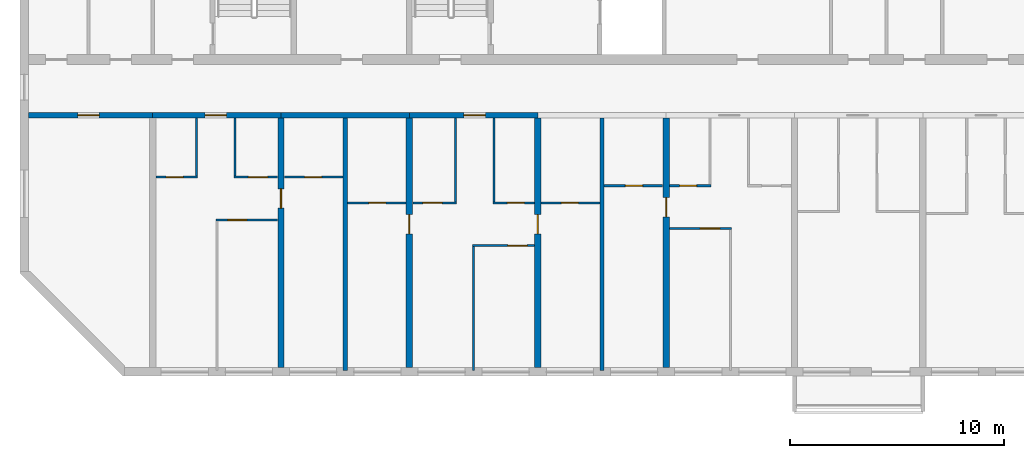
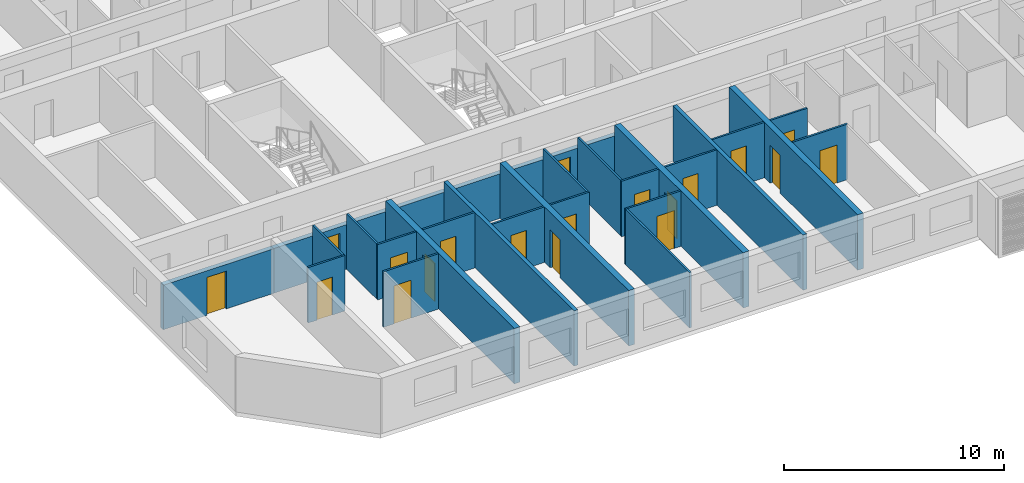
# One storey, part 2 of 31: 27 walls, 19 doors, 19 openings.
"""IFC4 building model written with IfcOpenShell, lengths in metres."""

from ifc_helpers import new_model, si_unit, direction, frame, frame_2d, origin, place, context, subcontext, project, spatial, rectangle, extrude, material, layer, layer_set, type_object, element, fill, save


model = new_model("IFC4")

# Units and contexts
model_context = context("Model", 3, precision=1e-05, world=origin(), true_north=direction((0.0, 1.0)))
body_context = subcontext(model_context, "Body", "Model", "MODEL_VIEW")
ifc_project = project(units=[si_unit("LENGTHUNIT", "METRE"), si_unit("AREAUNIT", "SQUARE_METRE"), si_unit("VOLUMEUNIT", "CUBIC_METRE"), si_unit("PLANEANGLEUNIT", "RADIAN"), si_unit("MASSUNIT", "GRAM", prefix="KILO")], contexts=[model_context])

# Site, building, storey
site_placement = place(None, origin())
site = spatial("IfcSite", under=ifc_project, at=site_placement, CompositionType="ELEMENT")
building_placement = place(site_placement, origin())
building = spatial("IfcBuilding", under=site, at=building_placement, Name="Poui Terraces", CompositionType="ELEMENT")
storey_placement = place(building_placement, frame((0.0, 0.0, 148.800048828125)))
storey = spatial("IfcBuildingStorey", under=building, at=storey_placement, Name="L41", CompositionType="ELEMENT", Elevation=148.800048828125)

# Wall, opening, door
ifc_material_1 = material(Name="Concrete 65 MPa", Category="concrete")
ifc_layer_1 = layer(ifc_material_1, 0.25)
ifc_layer_set_1 = layer_set([ifc_layer_1], Name="Concrete 65 MPa")
wall_type_1 = type_object("IfcWallType", Name="CORRIDOR WALL 250 65MPa", PredefinedType="SHEAR", material=ifc_layer_set_1)
wall_1_placement = place(storey_placement, frame((12.199951171875, 12.0, 0.0), z_axis=(0.0, 0.0, 1.0), x_axis=(1.0, 0.0, 0.0)))
wall_1 = element("IfcWall", 1, at=wall_1_placement, inside=storey, type_object=wall_type_1, Name="CORRIDOR WALL LINE B BAY 1", PredefinedType="SHEAR", context=body_context, shape_type="SweptSolid", body=[
    extrude(rectangle(XDim=5.800048828125, YDim=0.25, at=frame_2d((2.89990234375, 0.0))), origin(), (0.0, 0.0, 1.0), 2.469970703125),
])
opening_1_placement = place(wall_1_placement, frame((2.300048828125, 0.0, 0.0)))
opening_1 = element("IfcOpeningElement", 2, at=opening_1_placement, cuts=wall_1, Name="Opening D100", PredefinedType="OPENING", context=body_context, shape_type="SweptSolid", body=[
    extrude(rectangle(XDim=1.0, YDim=2.10009765625, at=frame_2d((0.5, 1.050048828125))), frame((0.0, 0.135009765625, 0.0), z_axis=(0.0, -1.0, 0.0), x_axis=(1.0, 0.0, 0.0)), (0.0, 0.0, 1.0), 0.27001953125),
])
ifc_material_2 = material(Name="Solid core timber door", Category="wood")
door_type_1 = type_object("IfcDoorType", Name="ACCESSIBLE INTERNAL DOOR 1000 X 2100", OperationType="NOTDEFINED", PredefinedType="DOOR", material=ifc_material_2)
door_1_placement = place(opening_1_placement, frame((1.0, 0.0, 0.0), z_axis=(0.0, 0.0, 1.0), x_axis=(-1.0, 0.0, 0.0)))
door_1 = element("IfcDoor", 3, at=door_1_placement, inside=storey, type_object=door_type_1, Name="ACCESSIBLE INTERNAL DOOR 077", OperationType="SINGLE_SWING_RIGHT", OverallHeight=2.10009765625, OverallWidth=1.0, PredefinedType="DOOR", context=body_context, shape_type="SweptSolid", body=[
    extrude(rectangle(XDim=1.0, YDim=2.10009765625, at=frame_2d((0.5, 1.050048828125))), frame((0.0, 0.02490234375, 0.0), z_axis=(0.0, -1.0, 0.0), x_axis=(1.0, 0.0, 0.0)), (0.0, 0.0, 1.0), 0.050048828125),
])
fill(opening_1, door_1)

wall_2_placement = place(storey_placement, frame((18.0, 12.0, 0.0), z_axis=(0.0, 0.0, 1.0), x_axis=(1.0, 0.0, 0.0)))
wall_2 = element("IfcWall", 4, at=wall_2_placement, inside=storey, type_object=wall_type_1, Name="CORRIDOR WALL LINE B BAY 2", PredefinedType="SHEAR", context=body_context, shape_type="SweptSolid", body=[
    extrude(rectangle(XDim=6.0, YDim=0.25, at=frame_2d((3.0, 0.0))), origin(), (0.0, 0.0, 1.0), 2.469970703125),
])
opening_2_placement = place(wall_2_placement, frame((2.449951171875, 0.0, 0.0)))
opening_2 = element("IfcOpeningElement", 5, at=opening_2_placement, cuts=wall_2, Name="Opening FD30S", PredefinedType="OPENING", context=body_context, shape_type="SweptSolid", body=[
    extrude(rectangle(XDim=1.0, YDim=2.10009765625, at=frame_2d((0.5, 1.050048828125))), frame((0.0, 0.135009765625, 0.0), z_axis=(0.0, -1.0, 0.0), x_axis=(1.0, 0.0, 0.0)), (0.0, 0.0, 1.0), 0.27001953125),
])
ifc_material_3 = material(Name="Steel fire door", Category="steel")
door_type_2 = type_object("IfcDoorType", Name="FLAT ENTRANCE DOOR 1000 X 2100", OperationType="NOTDEFINED", PredefinedType="DOOR", material=ifc_material_3)
door_2_placement = place(opening_2_placement, frame((1.0, 0.0, 0.0), z_axis=(0.0, 0.0, 1.0), x_axis=(-1.0, 0.0, 0.0)))
door_2 = element("IfcDoor", 6, at=door_2_placement, inside=storey, type_object=door_type_2, Name="FLAT ENTRANCE DOOR 080", OperationType="SINGLE_SWING_RIGHT", OverallHeight=2.10009765625, OverallWidth=1.0, PredefinedType="DOOR", context=body_context, shape_type="SweptSolid", body=[
    extrude(rectangle(XDim=1.0, YDim=2.10009765625, at=frame_2d((0.5, 1.050048828125))), frame((0.0, 0.02490234375, 0.0), z_axis=(0.0, -1.0, 0.0), x_axis=(1.0, 0.0, 0.0)), (0.0, 0.0, 1.0), 0.050048828125),
])
fill(opening_2, door_2)

# Wall
wall_3_placement = place(storey_placement, frame((24.0, 12.0, 0.0), z_axis=(0.0, 0.0, 1.0), x_axis=(1.0, 0.0, 0.0)))
element("IfcWall", 7, at=wall_3_placement, inside=storey, type_object=wall_type_1, Name="CORRIDOR WALL LINE B BAY 3", PredefinedType="SHEAR", context=body_context, shape_type="SweptSolid", body=[
    extrude(rectangle(XDim=6.0, YDim=0.25, at=frame_2d((3.0, 0.0))), origin(), (0.0, 0.0, 1.0), 2.469970703125),
])

# Wall, opening, door
wall_4_placement = place(storey_placement, frame((30.0, 12.0, 0.0), z_axis=(0.0, 0.0, 1.0), x_axis=(1.0, 0.0, 0.0)))
wall_4 = element("IfcWall", 8, at=wall_4_placement, inside=storey, type_object=wall_type_1, Name="CORRIDOR WALL LINE B BAY 4", PredefinedType="SHEAR", context=body_context, shape_type="SweptSolid", body=[
    extrude(rectangle(XDim=6.0, YDim=0.25, at=frame_2d((3.0, 0.0))), origin(), (0.0, 0.0, 1.0), 2.469970703125),
])
opening_3_placement = place(wall_4_placement, frame((2.550048828125, 0.0, 0.0)))
opening_3 = element("IfcOpeningElement", 9, at=opening_3_placement, cuts=wall_4, Name="Opening FD30S", PredefinedType="OPENING", context=body_context, shape_type="SweptSolid", body=[
    extrude(rectangle(XDim=1.0, YDim=2.10009765625, at=frame_2d((0.5, 1.050048828125))), frame((0.0, 0.135009765625, 0.0), z_axis=(0.0, -1.0, 0.0), x_axis=(1.0, 0.0, 0.0)), (0.0, 0.0, 1.0), 0.27001953125),
])
door_3_placement = place(opening_3_placement, frame((1.0, 0.0, 0.0), z_axis=(0.0, 0.0, 1.0), x_axis=(-1.0, 0.0, 0.0)))
door_3 = element("IfcDoor", 10, at=door_3_placement, inside=storey, type_object=door_type_2, Name="FLAT ENTRANCE DOOR 088", OperationType="SINGLE_SWING_LEFT", OverallHeight=2.10009765625, OverallWidth=1.0, PredefinedType="DOOR", context=body_context, shape_type="SweptSolid", body=[
    extrude(rectangle(XDim=1.0, YDim=2.10009765625, at=frame_2d((0.5, 1.050048828125))), frame((0.0, 0.02490234375, 0.0), z_axis=(0.0, -1.0, 0.0), x_axis=(1.0, 0.0, 0.0)), (0.0, 0.0, 1.0), 0.050048828125),
])
fill(opening_3, door_3)

ifc_layer_2 = layer(ifc_material_1, 0.300048828125)
ifc_layer_set_2 = layer_set([ifc_layer_2], Name="Concrete 65 MPa")
wall_type_2 = type_object("IfcWallType", Name="CROSS WALL 300 65MPa", PredefinedType="SHEAR", material=ifc_layer_set_2)
wall_5_placement = place(storey_placement, frame((24.0, 0.199951171875, 0.0), z_axis=(0.0, 0.0, 1.0), x_axis=(0.0, 1.0, 0.0)))
wall_5 = element("IfcWall", 11, at=wall_5_placement, inside=storey, type_object=wall_type_2, Name="CROSS WALL LINE 5 SOUTH", PredefinedType="SHEAR", context=body_context, shape_type="SweptSolid", body=[
    extrude(rectangle(XDim=11.675048828125, YDim=0.300048828125, at=frame_2d((5.83740234375, 0.0))), origin(), (0.0, 0.0, 1.0), 3.070068359375),
])
opening_4_placement = place(wall_5_placement, frame((7.449951171875, 0.0, 0.0)))
opening_4 = element("IfcOpeningElement", 12, at=opening_4_placement, cuts=wall_5, Name="Opening D90", PredefinedType="OPENING", context=body_context, shape_type="SweptSolid", body=[
    extrude(rectangle(XDim=0.89990234375, YDim=2.10009765625, at=frame_2d((0.449951171875, 1.050048828125))), frame((0.0, 0.16015625, 0.0), z_axis=(0.0, -1.0, 0.0), x_axis=(1.0, 0.0, 0.0)), (0.0, 0.0, 1.0), 0.320068359375),
])
door_type_3 = type_object("IfcDoorType", Name="INTERNAL DOOR 900 X 2100", OperationType="NOTDEFINED", PredefinedType="DOOR", material=ifc_material_2)
door_4_placement = place(opening_4_placement, frame((0.89990234375, 0.0, 0.0), z_axis=(0.0, 0.0, 1.0), x_axis=(-1.0, 0.0, 0.0)))
door_4 = element("IfcDoor", 13, at=door_4_placement, inside=storey, type_object=door_type_3, Name="INTERNAL DOOR 083", OperationType="SINGLE_SWING_LEFT", OverallHeight=2.10009765625, OverallWidth=0.89990234375, PredefinedType="DOOR", context=body_context, shape_type="SweptSolid", body=[
    extrude(rectangle(XDim=0.89990234375, YDim=2.10009765625, at=frame_2d((0.449951171875, 1.050048828125))), frame((0.0, 0.02490234375, 0.0), z_axis=(0.0, -1.0, 0.0), x_axis=(1.0, 0.0, 0.0)), (0.0, 0.0, 1.0), 0.050048828125),
])
fill(opening_4, door_4)

wall_6_placement = place(storey_placement, frame((30.0, 0.199951171875, 0.0), z_axis=(0.0, 0.0, 1.0), x_axis=(0.0, 1.0, 0.0)))
wall_6 = element("IfcWall", 14, at=wall_6_placement, inside=storey, type_object=wall_type_2, Name="CROSS WALL LINE 6 SOUTH", PredefinedType="SHEAR", context=body_context, shape_type="SweptSolid", body=[
    extrude(rectangle(XDim=11.675048828125, YDim=0.300048828125, at=frame_2d((5.83740234375, 0.0))), origin(), (0.0, 0.0, 1.0), 3.070068359375),
])
opening_5_placement = place(wall_6_placement, frame((6.25, 0.0, 0.0)))
opening_5 = element("IfcOpeningElement", 15, at=opening_5_placement, cuts=wall_6, Name="Opening D90", PredefinedType="OPENING", context=body_context, shape_type="SweptSolid", body=[
    extrude(rectangle(XDim=0.89990234375, YDim=2.10009765625, at=frame_2d((0.449951171875, 1.050048828125))), frame((0.0, 0.16015625, 0.0), z_axis=(0.0, -1.0, 0.0), x_axis=(1.0, 0.0, 0.0)), (0.0, 0.0, 1.0), 0.320068359375),
])
door_5_placement = place(opening_5_placement, origin())
door_5 = element("IfcDoor", 16, at=door_5_placement, inside=storey, type_object=door_type_3, Name="INTERNAL DOOR 086", OperationType="SINGLE_SWING_RIGHT", OverallHeight=2.10009765625, OverallWidth=0.89990234375, PredefinedType="DOOR", context=body_context, shape_type="SweptSolid", body=[
    extrude(rectangle(XDim=0.89990234375, YDim=2.10009765625, at=frame_2d((0.449951171875, 1.050048828125))), frame((0.0, 0.02490234375, 0.0), z_axis=(0.0, -1.0, 0.0), x_axis=(1.0, 0.0, 0.0)), (0.0, 0.0, 1.0), 0.050048828125),
])
fill(opening_5, door_5)

wall_7_placement = place(storey_placement, frame((36.0, 0.199951171875, 0.0), z_axis=(0.0, 0.0, 1.0), x_axis=(0.0, 1.0, 0.0)))
wall_7 = element("IfcWall", 17, at=wall_7_placement, inside=storey, type_object=wall_type_2, Name="CROSS WALL LINE 7 SOUTH", PredefinedType="SHEAR", context=body_context, shape_type="SweptSolid", body=[
    extrude(rectangle(XDim=11.675048828125, YDim=0.300048828125, at=frame_2d((5.83740234375, 0.0))), origin(), (0.0, 0.0, 1.0), 3.070068359375),
])
opening_6_placement = place(wall_7_placement, frame((6.25, 0.0, 0.0)))
opening_6 = element("IfcOpeningElement", 18, at=opening_6_placement, cuts=wall_7, Name="Opening D90", PredefinedType="OPENING", context=body_context, shape_type="SweptSolid", body=[
    extrude(rectangle(XDim=0.89990234375, YDim=2.10009765625, at=frame_2d((0.449951171875, 1.050048828125))), frame((0.0, 0.16015625, 0.0), z_axis=(0.0, -1.0, 0.0), x_axis=(1.0, 0.0, 0.0)), (0.0, 0.0, 1.0), 0.320068359375),
])
door_6_placement = place(opening_6_placement, frame((0.89990234375, 0.0, 0.0), z_axis=(0.0, 0.0, 1.0), x_axis=(-1.0, 0.0, 0.0)))
door_6 = element("IfcDoor", 19, at=door_6_placement, inside=storey, type_object=door_type_3, Name="INTERNAL DOOR 091", OperationType="SINGLE_SWING_LEFT", OverallHeight=2.10009765625, OverallWidth=0.89990234375, PredefinedType="DOOR", context=body_context, shape_type="SweptSolid", body=[
    extrude(rectangle(XDim=0.89990234375, YDim=2.10009765625, at=frame_2d((0.449951171875, 1.050048828125))), frame((0.0, 0.02490234375, 0.0), z_axis=(0.0, -1.0, 0.0), x_axis=(1.0, 0.0, 0.0)), (0.0, 0.0, 1.0), 0.050048828125),
])
fill(opening_6, door_6)

wall_8_placement = place(storey_placement, frame((42.0, 0.199951171875, 0.0), z_axis=(0.0, 0.0, 1.0), x_axis=(0.0, 1.0, 0.0)))
wall_8 = element("IfcWall", 20, at=wall_8_placement, inside=storey, type_object=wall_type_2, Name="CROSS WALL LINE 8 SOUTH", PredefinedType="SHEAR", context=body_context, shape_type="SweptSolid", body=[
    extrude(rectangle(XDim=11.675048828125, YDim=0.300048828125, at=frame_2d((5.83740234375, 0.0))), origin(), (0.0, 0.0, 1.0), 3.070068359375),
])
opening_7_placement = place(wall_8_placement, frame((7.050048828125, 0.0, 0.0)))
opening_7 = element("IfcOpeningElement", 21, at=opening_7_placement, cuts=wall_8, Name="Opening D90", PredefinedType="OPENING", context=body_context, shape_type="SweptSolid", body=[
    extrude(rectangle(XDim=0.89990234375, YDim=2.10009765625, at=frame_2d((0.449951171875, 1.050048828125))), frame((0.0, 0.16015625, 0.0), z_axis=(0.0, -1.0, 0.0), x_axis=(1.0, 0.0, 0.0)), (0.0, 0.0, 1.0), 0.320068359375),
])
door_7_placement = place(opening_7_placement, origin())
door_7 = element("IfcDoor", 22, at=door_7_placement, inside=storey, type_object=door_type_3, Name="INTERNAL DOOR 093", OperationType="SINGLE_SWING_RIGHT", OverallHeight=2.10009765625, OverallWidth=0.89990234375, PredefinedType="DOOR", context=body_context, shape_type="SweptSolid", body=[
    extrude(rectangle(XDim=0.89990234375, YDim=2.10009765625, at=frame_2d((0.449951171875, 1.050048828125))), frame((0.0, 0.02490234375, 0.0), z_axis=(0.0, -1.0, 0.0), x_axis=(1.0, 0.0, 0.0)), (0.0, 0.0, 1.0), 0.050048828125),
])
fill(opening_7, door_7)

ifc_material_4 = material(Name="Plasterboard partition")
ifc_layer_3 = layer(ifc_material_4, 0.10009765625)
ifc_layer_set_3 = layer_set([ifc_layer_3], Name="Plasterboard partition")
wall_type_3 = type_object("IfcWallType", Name="FLAT PARTITION 100", PredefinedType="PARTITIONING", material=ifc_layer_set_3)
wall_9_placement = place(storey_placement, frame((32.949951171875, 5.89990234375, 0.0), z_axis=(0.0, 0.0, 1.0), x_axis=(1.0, 0.0, 0.0)))
wall_9 = element("IfcWall", 23, at=wall_9_placement, inside=storey, type_object=wall_type_3, Name="FLAT PARTITION 100", PredefinedType="PARTITIONING", context=body_context, shape_type="SweptSolid", body=[
    extrude(rectangle(XDim=2.89013671875, YDim=0.10009765625, at=frame_2d((1.445068359375, 0.0))), origin(), (0.0, 0.0, 1.0), 3.070068359375),
])
opening_8_placement = place(wall_9_placement, frame((1.64990234375, 0.0, 0.0)))
opening_8 = element("IfcOpeningElement", 24, at=opening_8_placement, cuts=wall_9, Name="Opening D90", PredefinedType="OPENING", context=body_context, shape_type="SweptSolid", body=[
    extrude(rectangle(XDim=0.89990234375, YDim=2.10009765625, at=frame_2d((0.449951171875, 1.050048828125))), frame((0.0, 0.06005859375, 0.0), z_axis=(0.0, -1.0, 0.0), x_axis=(1.0, 0.0, 0.0)), (0.0, 0.0, 1.0), 0.1201171875),
])
door_8_placement = place(opening_8_placement, origin())
door_8 = element("IfcDoor", 25, at=door_8_placement, inside=storey, type_object=door_type_3, Name="INTERNAL DOOR 090", OperationType="SINGLE_SWING_LEFT", OverallHeight=2.10009765625, OverallWidth=0.89990234375, PredefinedType="DOOR", context=body_context, shape_type="SweptSolid", body=[
    extrude(rectangle(XDim=0.89990234375, YDim=2.10009765625, at=frame_2d((0.449951171875, 1.050048828125))), frame((0.0, 0.02490234375, 0.0), z_axis=(0.0, -1.0, 0.0), x_axis=(1.0, 0.0, 0.0)), (0.0, 0.0, 1.0), 0.050048828125),
])
fill(opening_8, door_8)

wall_10_placement = place(storey_placement, frame((42.159912109375, 6.699951171875, 0.0), z_axis=(0.0, 0.0, 1.0), x_axis=(1.0, 0.0, 0.0)))
wall_10 = element("IfcWall", 26, at=wall_10_placement, inside=storey, type_object=wall_type_3, Name="FLAT PARTITION 100", PredefinedType="PARTITIONING", context=body_context, shape_type="SweptSolid", body=[
    extrude(rectangle(XDim=2.89013671875, YDim=0.10009765625, at=frame_2d((1.445068359375, 0.0))), origin(), (0.0, 0.0, 1.0), 3.070068359375),
])
opening_9_placement = place(wall_10_placement, frame((1.43994140625, 0.0, 0.0)))
opening_9 = element("IfcOpeningElement", 27, at=opening_9_placement, cuts=wall_10, Name="Opening D90", PredefinedType="OPENING", context=body_context, shape_type="SweptSolid", body=[
    extrude(rectangle(XDim=0.89990234375, YDim=2.10009765625, at=frame_2d((0.449951171875, 1.050048828125))), frame((0.0, 0.06005859375, 0.0), z_axis=(0.0, -1.0, 0.0), x_axis=(1.0, 0.0, 0.0)), (0.0, 0.0, 1.0), 0.1201171875),
])
door_9_placement = place(opening_9_placement, origin())
door_9 = element("IfcDoor", 28, at=door_9_placement, inside=storey, type_object=door_type_3, Name="INTERNAL DOOR 095", OperationType="SINGLE_SWING_LEFT", OverallHeight=2.10009765625, OverallWidth=0.89990234375, PredefinedType="DOOR", context=body_context, shape_type="SweptSolid", body=[
    extrude(rectangle(XDim=0.89990234375, YDim=2.10009765625, at=frame_2d((0.449951171875, 1.050048828125))), frame((0.0, 0.02490234375, 0.0), z_axis=(0.0, -1.0, 0.0), x_axis=(1.0, 0.0, 0.0)), (0.0, 0.0, 1.0), 0.050048828125),
])
fill(opening_9, door_9)

wall_11_placement = place(storey_placement, frame((20.949951171875, 7.10009765625, 0.0), z_axis=(0.0, 0.0, 1.0), x_axis=(1.0, 0.0, 0.0)))
wall_11 = element("IfcWall", 29, at=wall_11_placement, inside=storey, type_object=wall_type_3, Name="FLAT PARTITION 100", PredefinedType="PARTITIONING", context=body_context, shape_type="SweptSolid", body=[
    extrude(rectangle(XDim=2.89013671875, YDim=0.10009765625, at=frame_2d((1.445068359375, 0.0))), origin(), (0.0, 0.0, 1.0), 3.070068359375),
])
opening_10_placement = place(wall_11_placement, frame((0.550048828125, 0.0, 0.0)))
opening_10 = element("IfcOpeningElement", 30, at=opening_10_placement, cuts=wall_11, Name="Opening D90", PredefinedType="OPENING", context=body_context, shape_type="SweptSolid", body=[
    extrude(rectangle(XDim=0.89990234375, YDim=2.10009765625, at=frame_2d((0.449951171875, 1.050048828125))), frame((0.0, 0.06005859375, 0.0), z_axis=(0.0, -1.0, 0.0), x_axis=(1.0, 0.0, 0.0)), (0.0, 0.0, 1.0), 0.1201171875),
])
door_10_placement = place(opening_10_placement, origin())
door_10 = element("IfcDoor", 31, at=door_10_placement, inside=storey, type_object=door_type_3, Name="INTERNAL DOOR 081", OperationType="SINGLE_SWING_RIGHT", OverallHeight=2.10009765625, OverallWidth=0.89990234375, PredefinedType="DOOR", context=body_context, shape_type="SweptSolid", body=[
    extrude(rectangle(XDim=0.89990234375, YDim=2.10009765625, at=frame_2d((0.449951171875, 1.050048828125))), frame((0.0, 0.02490234375, 0.0), z_axis=(0.0, -1.0, 0.0), x_axis=(1.0, 0.0, 0.0)), (0.0, 0.0, 1.0), 0.050048828125),
])
fill(opening_10, door_10)

wall_12_placement = place(storey_placement, frame((27.10009765625, 7.89990234375, 0.0), z_axis=(0.0, 0.0, 1.0), x_axis=(1.0, 0.0, 0.0)))
wall_12 = element("IfcWall", 32, at=wall_12_placement, inside=storey, type_object=wall_type_3, Name="FLAT PARTITION 100", PredefinedType="PARTITIONING", context=body_context, shape_type="SweptSolid", body=[
    extrude(rectangle(XDim=2.739990234375, YDim=0.10009765625, at=frame_2d((1.3701171875, 0.0))), origin(), (0.0, 0.0, 1.0), 3.070068359375),
])
opening_11_placement = place(wall_12_placement, frame((1.0, 0.0, 0.0)))
opening_11 = element("IfcOpeningElement", 33, at=opening_11_placement, cuts=wall_12, Name="Opening D80", PredefinedType="OPENING", context=body_context, shape_type="SweptSolid", body=[
    extrude(rectangle(XDim=0.800048828125, YDim=2.10009765625, at=frame_2d((0.39990234375, 1.050048828125))), frame((0.0, 0.06005859375, 0.0), z_axis=(0.0, -1.0, 0.0), x_axis=(1.0, 0.0, 0.0)), (0.0, 0.0, 1.0), 0.1201171875),
])
door_type_4 = type_object("IfcDoorType", Name="BATHROOM, LAUNDRY AND STORE DOOR 800 X 2100", OperationType="NOTDEFINED", PredefinedType="DOOR", material=ifc_material_2)
door_11_placement = place(opening_11_placement, origin())
door_11 = element("IfcDoor", 34, at=door_11_placement, inside=storey, type_object=door_type_4, Name="BATHROOM, LAUNDRY AND STORE DOOR 084", OperationType="SINGLE_SWING_LEFT", OverallHeight=2.10009765625, OverallWidth=0.800048828125, PredefinedType="DOOR", context=body_context, shape_type="SweptSolid", body=[
    extrude(rectangle(XDim=0.800048828125, YDim=2.10009765625, at=frame_2d((0.39990234375, 1.050048828125))), frame((0.0, 0.02490234375, 0.0), z_axis=(0.0, -1.0, 0.0), x_axis=(1.0, 0.0, 0.0)), (0.0, 0.0, 1.0), 0.050048828125),
])
fill(opening_11, door_11)

wall_13_placement = place(storey_placement, frame((30.159912109375, 7.89990234375, 0.0), z_axis=(0.0, 0.0, 1.0), x_axis=(1.0, 0.0, 0.0)))
wall_13 = element("IfcWall", 35, at=wall_13_placement, inside=storey, type_object=wall_type_3, Name="FLAT PARTITION 100", PredefinedType="PARTITIONING", context=body_context, shape_type="SweptSolid", body=[
    extrude(rectangle(XDim=2.0400390625, YDim=0.10009765625, at=frame_2d((1.02001953125, 0.0))), origin(), (0.0, 0.0, 1.0), 3.070068359375),
])
opening_12_placement = place(wall_13_placement, frame((0.465087890625, 0.0, 0.0)))
opening_12 = element("IfcOpeningElement", 36, at=opening_12_placement, cuts=wall_13, Name="Opening D90", PredefinedType="OPENING", context=body_context, shape_type="SweptSolid", body=[
    extrude(rectangle(XDim=0.89990234375, YDim=2.10009765625, at=frame_2d((0.449951171875, 1.050048828125))), frame((0.0, 0.06005859375, 0.0), z_axis=(0.0, -1.0, 0.0), x_axis=(1.0, 0.0, 0.0)), (0.0, 0.0, 1.0), 0.1201171875),
])
door_12_placement = place(opening_12_placement, origin())
door_12 = element("IfcDoor", 37, at=door_12_placement, inside=storey, type_object=door_type_3, Name="INTERNAL DOOR 087", OperationType="SINGLE_SWING_LEFT", OverallHeight=2.10009765625, OverallWidth=0.89990234375, PredefinedType="DOOR", context=body_context, shape_type="SweptSolid", body=[
    extrude(rectangle(XDim=0.89990234375, YDim=2.10009765625, at=frame_2d((0.449951171875, 1.050048828125))), frame((0.0, 0.02490234375, 0.0), z_axis=(0.0, -1.0, 0.0), x_axis=(1.0, 0.0, 0.0)), (0.0, 0.0, 1.0), 0.050048828125),
])
fill(opening_12, door_12)

wall_14_placement = place(storey_placement, frame((33.89990234375, 7.89990234375, 0.0), z_axis=(0.0, 0.0, 1.0), x_axis=(1.0, 0.0, 0.0)))
wall_14 = element("IfcWall", 38, at=wall_14_placement, inside=storey, type_object=wall_type_3, Name="FLAT PARTITION 100", PredefinedType="PARTITIONING", context=body_context, shape_type="SweptSolid", body=[
    extrude(rectangle(XDim=1.940185546875, YDim=0.10009765625, at=frame_2d((0.97021484375, 0.0))), origin(), (0.0, 0.0, 1.0), 3.070068359375),
])
opening_13_placement = place(wall_14_placement, frame((0.675048828125, 0.0, 0.0)))
opening_13 = element("IfcOpeningElement", 39, at=opening_13_placement, cuts=wall_14, Name="Opening D80", PredefinedType="OPENING", context=body_context, shape_type="SweptSolid", body=[
    extrude(rectangle(XDim=0.800048828125, YDim=2.10009765625, at=frame_2d((0.39990234375, 1.050048828125))), frame((0.0, 0.06005859375, 0.0), z_axis=(0.0, -1.0, 0.0), x_axis=(1.0, 0.0, 0.0)), (0.0, 0.0, 1.0), 0.1201171875),
])
door_13_placement = place(opening_13_placement, origin())
door_13 = element("IfcDoor", 40, at=door_13_placement, inside=storey, type_object=door_type_4, Name="BATHROOM, LAUNDRY AND STORE DOOR 089", OperationType="SINGLE_SWING_RIGHT", OverallHeight=2.10009765625, OverallWidth=0.800048828125, PredefinedType="DOOR", context=body_context, shape_type="SweptSolid", body=[
    extrude(rectangle(XDim=0.800048828125, YDim=2.10009765625, at=frame_2d((0.39990234375, 1.050048828125))), frame((0.0, 0.02490234375, 0.0), z_axis=(0.0, -1.0, 0.0), x_axis=(1.0, 0.0, 0.0)), (0.0, 0.0, 1.0), 0.050048828125),
])
fill(opening_13, door_13)

wall_15_placement = place(storey_placement, frame((36.159912109375, 7.89990234375, 0.0), z_axis=(0.0, 0.0, 1.0), x_axis=(1.0, 0.0, 0.0)))
wall_15 = element("IfcWall", 41, at=wall_15_placement, inside=storey, type_object=wall_type_3, Name="FLAT PARTITION 100", PredefinedType="PARTITIONING", context=body_context, shape_type="SweptSolid", body=[
    extrude(rectangle(XDim=2.739990234375, YDim=0.10009765625, at=frame_2d((1.3701171875, 0.0))), origin(), (0.0, 0.0, 1.0), 3.070068359375),
])
opening_14_placement = place(wall_15_placement, frame((0.93994140625, 0.0, 0.0)))
opening_14 = element("IfcOpeningElement", 42, at=opening_14_placement, cuts=wall_15, Name="Opening D80", PredefinedType="OPENING", context=body_context, shape_type="SweptSolid", body=[
    extrude(rectangle(XDim=0.800048828125, YDim=2.10009765625, at=frame_2d((0.39990234375, 1.050048828125))), frame((0.0, 0.06005859375, 0.0), z_axis=(0.0, -1.0, 0.0), x_axis=(1.0, 0.0, 0.0)), (0.0, 0.0, 1.0), 0.1201171875),
])
door_14_placement = place(opening_14_placement, origin())
door_14 = element("IfcDoor", 43, at=door_14_placement, inside=storey, type_object=door_type_4, Name="BATHROOM, LAUNDRY AND STORE DOOR 085", OperationType="SINGLE_SWING_LEFT", OverallHeight=2.10009765625, OverallWidth=0.800048828125, PredefinedType="DOOR", context=body_context, shape_type="SweptSolid", body=[
    extrude(rectangle(XDim=0.800048828125, YDim=2.10009765625, at=frame_2d((0.39990234375, 1.050048828125))), frame((0.0, 0.02490234375, 0.0), z_axis=(0.0, -1.0, 0.0), x_axis=(1.0, 0.0, 0.0)), (0.0, 0.0, 1.0), 0.050048828125),
])
fill(opening_14, door_14)

wall_16_placement = place(storey_placement, frame((39.10009765625, 8.699951171875, 0.0), z_axis=(0.0, 0.0, 1.0), x_axis=(1.0, 0.0, 0.0)))
wall_16 = element("IfcWall", 44, at=wall_16_placement, inside=storey, type_object=wall_type_3, Name="FLAT PARTITION 100", PredefinedType="PARTITIONING", context=body_context, shape_type="SweptSolid", body=[
    extrude(rectangle(XDim=2.739990234375, YDim=0.10009765625, at=frame_2d((1.3701171875, 0.0))), origin(), (0.0, 0.0, 1.0), 3.070068359375),
])
opening_15_placement = place(wall_16_placement, frame((1.0, 0.0, 0.0)))
opening_15 = element("IfcOpeningElement", 45, at=opening_15_placement, cuts=wall_16, Name="Opening D80", PredefinedType="OPENING", context=body_context, shape_type="SweptSolid", body=[
    extrude(rectangle(XDim=0.800048828125, YDim=2.10009765625, at=frame_2d((0.39990234375, 1.050048828125))), frame((0.0, 0.06005859375, 0.0), z_axis=(0.0, -1.0, 0.0), x_axis=(1.0, 0.0, 0.0)), (0.0, 0.0, 1.0), 0.1201171875),
])
door_15_placement = place(opening_15_placement, origin())
door_15 = element("IfcDoor", 46, at=door_15_placement, inside=storey, type_object=door_type_4, Name="BATHROOM, LAUNDRY AND STORE DOOR 092", OperationType="SINGLE_SWING_RIGHT", OverallHeight=2.10009765625, OverallWidth=0.800048828125, PredefinedType="DOOR", context=body_context, shape_type="SweptSolid", body=[
    extrude(rectangle(XDim=0.800048828125, YDim=2.10009765625, at=frame_2d((0.39990234375, 1.050048828125))), frame((0.0, 0.02490234375, 0.0), z_axis=(0.0, -1.0, 0.0), x_axis=(1.0, 0.0, 0.0)), (0.0, 0.0, 1.0), 0.050048828125),
])
fill(opening_15, door_15)

wall_17_placement = place(storey_placement, frame((42.159912109375, 8.699951171875, 0.0), z_axis=(0.0, 0.0, 1.0), x_axis=(1.0, 0.0, 0.0)))
wall_17 = element("IfcWall", 47, at=wall_17_placement, inside=storey, type_object=wall_type_3, Name="FLAT PARTITION 100", PredefinedType="PARTITIONING", context=body_context, shape_type="SweptSolid", body=[
    extrude(rectangle(XDim=1.940185546875, YDim=0.10009765625, at=frame_2d((0.97021484375, 0.0))), origin(), (0.0, 0.0, 1.0), 3.070068359375),
])
opening_16_placement = place(wall_17_placement, frame((0.465087890625, 0.0, 0.0)))
opening_16 = element("IfcOpeningElement", 48, at=opening_16_placement, cuts=wall_17, Name="Opening D80", PredefinedType="OPENING", context=body_context, shape_type="SweptSolid", body=[
    extrude(rectangle(XDim=0.800048828125, YDim=2.10009765625, at=frame_2d((0.39990234375, 1.050048828125))), frame((0.0, 0.06005859375, 0.0), z_axis=(0.0, -1.0, 0.0), x_axis=(1.0, 0.0, 0.0)), (0.0, 0.0, 1.0), 0.1201171875),
])
door_16_placement = place(opening_16_placement, origin())
door_16 = element("IfcDoor", 49, at=door_16_placement, inside=storey, type_object=door_type_4, Name="BATHROOM, LAUNDRY AND STORE DOOR 094", OperationType="SINGLE_SWING_RIGHT", OverallHeight=2.10009765625, OverallWidth=0.800048828125, PredefinedType="DOOR", context=body_context, shape_type="SweptSolid", body=[
    extrude(rectangle(XDim=0.800048828125, YDim=2.10009765625, at=frame_2d((0.39990234375, 1.050048828125))), frame((0.0, 0.02490234375, 0.0), z_axis=(0.0, -1.0, 0.0), x_axis=(1.0, 0.0, 0.0)), (0.0, 0.0, 1.0), 0.050048828125),
])
fill(opening_16, door_16)

wall_18_placement = place(storey_placement, frame((18.159912109375, 9.10009765625, 0.0), z_axis=(0.0, 0.0, 1.0), x_axis=(1.0, 0.0, 0.0)))
wall_18 = element("IfcWall", 50, at=wall_18_placement, inside=storey, type_object=wall_type_3, Name="FLAT PARTITION 100", PredefinedType="PARTITIONING", context=body_context, shape_type="SweptSolid", body=[
    extrude(rectangle(XDim=1.940185546875, YDim=0.10009765625, at=frame_2d((0.97021484375, 0.0))), origin(), (0.0, 0.0, 1.0), 3.070068359375),
])
opening_17_placement = place(wall_18_placement, frame((0.465087890625, 0.0, 0.0)))
opening_17 = element("IfcOpeningElement", 51, at=opening_17_placement, cuts=wall_18, Name="Opening D80", PredefinedType="OPENING", context=body_context, shape_type="SweptSolid", body=[
    extrude(rectangle(XDim=0.800048828125, YDim=2.10009765625, at=frame_2d((0.39990234375, 1.050048828125))), frame((0.0, 0.06005859375, 0.0), z_axis=(0.0, -1.0, 0.0), x_axis=(1.0, 0.0, 0.0)), (0.0, 0.0, 1.0), 0.1201171875),
])
door_17_placement = place(opening_17_placement, origin())
door_17 = element("IfcDoor", 52, at=door_17_placement, inside=storey, type_object=door_type_4, Name="BATHROOM, LAUNDRY AND STORE DOOR 079", OperationType="SINGLE_SWING_RIGHT", OverallHeight=2.10009765625, OverallWidth=0.800048828125, PredefinedType="DOOR", context=body_context, shape_type="SweptSolid", body=[
    extrude(rectangle(XDim=0.800048828125, YDim=2.10009765625, at=frame_2d((0.39990234375, 1.050048828125))), frame((0.0, 0.02490234375, 0.0), z_axis=(0.0, -1.0, 0.0), x_axis=(1.0, 0.0, 0.0)), (0.0, 0.0, 1.0), 0.050048828125),
])
fill(opening_17, door_17)

wall_19_placement = place(storey_placement, frame((21.800048828125, 9.10009765625, 0.0), z_axis=(0.0, 0.0, 1.0), x_axis=(1.0, 0.0, 0.0)))
wall_19 = element("IfcWall", 53, at=wall_19_placement, inside=storey, type_object=wall_type_3, Name="FLAT PARTITION 100", PredefinedType="PARTITIONING", context=body_context, shape_type="SweptSolid", body=[
    extrude(rectangle(XDim=2.0400390625, YDim=0.10009765625, at=frame_2d((1.02001953125, 0.0))), origin(), (0.0, 0.0, 1.0), 3.070068359375),
])
opening_18_placement = place(wall_19_placement, frame((0.675048828125, 0.0, 0.0)))
opening_18 = element("IfcOpeningElement", 54, at=opening_18_placement, cuts=wall_19, Name="Opening D90", PredefinedType="OPENING", context=body_context, shape_type="SweptSolid", body=[
    extrude(rectangle(XDim=0.89990234375, YDim=2.10009765625, at=frame_2d((0.449951171875, 1.050048828125))), frame((0.0, 0.06005859375, 0.0), z_axis=(0.0, -1.0, 0.0), x_axis=(1.0, 0.0, 0.0)), (0.0, 0.0, 1.0), 0.1201171875),
])
door_18_placement = place(opening_18_placement, origin())
door_18 = element("IfcDoor", 55, at=door_18_placement, inside=storey, type_object=door_type_3, Name="INTERNAL DOOR 082", OperationType="SINGLE_SWING_LEFT", OverallHeight=2.10009765625, OverallWidth=0.89990234375, PredefinedType="DOOR", context=body_context, shape_type="SweptSolid", body=[
    extrude(rectangle(XDim=0.89990234375, YDim=2.10009765625, at=frame_2d((0.449951171875, 1.050048828125))), frame((0.0, 0.02490234375, 0.0), z_axis=(0.0, -1.0, 0.0), x_axis=(1.0, 0.0, 0.0)), (0.0, 0.0, 1.0), 0.050048828125),
])
fill(opening_18, door_18)

wall_20_placement = place(storey_placement, frame((24.159912109375, 9.10009765625, 0.0), z_axis=(0.0, 0.0, 1.0), x_axis=(1.0, 0.0, 0.0)))
wall_20 = element("IfcWall", 56, at=wall_20_placement, inside=storey, type_object=wall_type_3, Name="FLAT PARTITION 100", PredefinedType="PARTITIONING", context=body_context, shape_type="SweptSolid", body=[
    extrude(rectangle(XDim=2.739990234375, YDim=0.10009765625, at=frame_2d((1.3701171875, 0.0))), origin(), (0.0, 0.0, 1.0), 3.070068359375),
])
opening_19_placement = place(wall_20_placement, frame((0.93994140625, 0.0, 0.0)))
opening_19 = element("IfcOpeningElement", 57, at=opening_19_placement, cuts=wall_20, Name="Opening D80", PredefinedType="OPENING", context=body_context, shape_type="SweptSolid", body=[
    extrude(rectangle(XDim=0.800048828125, YDim=2.10009765625, at=frame_2d((0.39990234375, 1.050048828125))), frame((0.0, 0.06005859375, 0.0), z_axis=(0.0, -1.0, 0.0), x_axis=(1.0, 0.0, 0.0)), (0.0, 0.0, 1.0), 0.1201171875),
])
door_19_placement = place(opening_19_placement, origin())
door_19 = element("IfcDoor", 58, at=door_19_placement, inside=storey, type_object=door_type_4, Name="BATHROOM, LAUNDRY AND STORE DOOR 078", OperationType="SINGLE_SWING_RIGHT", OverallHeight=2.10009765625, OverallWidth=0.800048828125, PredefinedType="DOOR", context=body_context, shape_type="SweptSolid", body=[
    extrude(rectangle(XDim=0.800048828125, YDim=2.10009765625, at=frame_2d((0.39990234375, 1.050048828125))), frame((0.0, 0.02490234375, 0.0), z_axis=(0.0, -1.0, 0.0), x_axis=(1.0, 0.0, 0.0)), (0.0, 0.0, 1.0), 0.050048828125),
])
fill(opening_19, door_19)

# Walls
for number, where, z_axis, x_axis, name in (
    (59, (20.050048828125, 9.14990234375, 0.0), (0.0, 0.0, 1.0), (0.0, 1.0, 0.0), "FLAT PARTITION 100"),
    (60, (21.85009765625, 9.14990234375, 0.0), (0.0, 0.0, 1.0), (0.0, 1.0, 0.0), "FLAT PARTITION 100"),
):
    element("IfcWall", number, at=place(storey_placement, frame(where, z_axis=z_axis, x_axis=x_axis)), inside=storey, type_object=wall_type_3, Name=name, PredefinedType="PARTITIONING", context=body_context, shape_type="SweptSolid", body=[
        extrude(rectangle(XDim=2.715087890625, YDim=0.10009765625, at=frame_2d((1.357421875, 0.0))), origin(), (0.0, 0.0, 1.0), 3.070068359375),
    ])
wall_21_placement = place(storey_placement, frame((32.14990234375, 7.949951171875, 0.0), z_axis=(0.0, 0.0, 1.0), x_axis=(0.0, 1.0, 0.0)))
element("IfcWall", 61, at=wall_21_placement, inside=storey, type_object=wall_type_3, Name="FLAT PARTITION 100", PredefinedType="PARTITIONING", context=body_context, shape_type="SweptSolid", body=[
    extrude(rectangle(XDim=3.9150390625, YDim=0.10009765625, at=frame_2d((1.95751953125, 0.0))), origin(), (0.0, 0.0, 1.0), 3.070068359375),
])
wall_22_placement = place(storey_placement, frame((33.0, 0.06005859375, 0.0), z_axis=(0.0, 0.0, 1.0), x_axis=(0.0, 1.0, 0.0)))
element("IfcWall", 62, at=wall_22_placement, inside=storey, type_object=wall_type_3, Name="FLAT PARTITION 100", PredefinedType="PARTITIONING", context=body_context, shape_type="SweptSolid", body=[
    extrude(rectangle(XDim=5.7900390625, YDim=0.10009765625, at=frame_2d((2.89501953125, 0.0))), origin(), (0.0, 0.0, 1.0), 3.070068359375),
])
wall_23_placement = place(storey_placement, frame((33.949951171875, 7.949951171875, 0.0), z_axis=(0.0, 0.0, 1.0), x_axis=(0.0, 1.0, 0.0)))
element("IfcWall", 63, at=wall_23_placement, inside=storey, type_object=wall_type_3, Name="FLAT PARTITION 100", PredefinedType="PARTITIONING", context=body_context, shape_type="SweptSolid", body=[
    extrude(rectangle(XDim=3.9150390625, YDim=0.10009765625, at=frame_2d((1.95751953125, 0.0))), origin(), (0.0, 0.0, 1.0), 3.070068359375),
])
ifc_material_5 = material(Name="Fire-rated masonry wall", Category="masonry")
ifc_layer_4 = layer(ifc_material_5, 0.199951171875)
ifc_layer_set_4 = layer_set([ifc_layer_4], Name="Fire-rated masonry wall")
wall_type_4 = type_object("IfcWallType", Name="FLAT PARTY WALL 200", PredefinedType="PARTITIONING", material=ifc_layer_set_4)
for number, where, z_axis, x_axis, name in (
    (64, (27.0, 0.06005859375, 0.0), (0.0, 0.0, 1.0), (0.0, 1.0, 0.0), "FLAT PARTY WALL 200"),
    (65, (39.0, 0.06005859375, 0.0), (0.0, 0.0, 1.0), (0.0, 1.0, 0.0), "FLAT PARTY WALL 200"),
):
    element("IfcWall", number, at=place(storey_placement, frame(where, z_axis=z_axis, x_axis=x_axis)), inside=storey, type_object=wall_type_4, Name=name, PredefinedType="PARTITIONING", context=body_context, shape_type="SweptSolid", body=[
        extrude(rectangle(XDim=11.804931640625, YDim=0.199951171875, at=frame_2d((5.90234375, 0.0))), origin(), (0.0, 0.0, 1.0), 3.070068359375),
    ])

save(model, "model.ifc")
